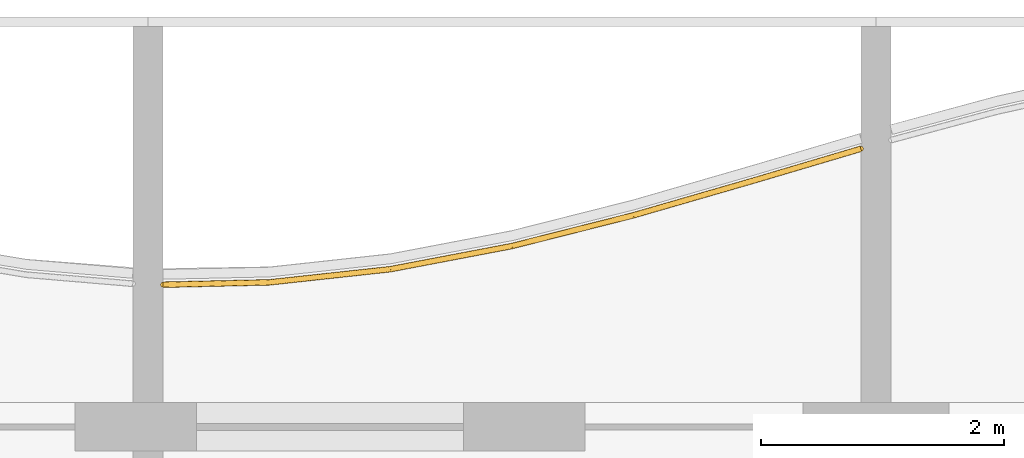
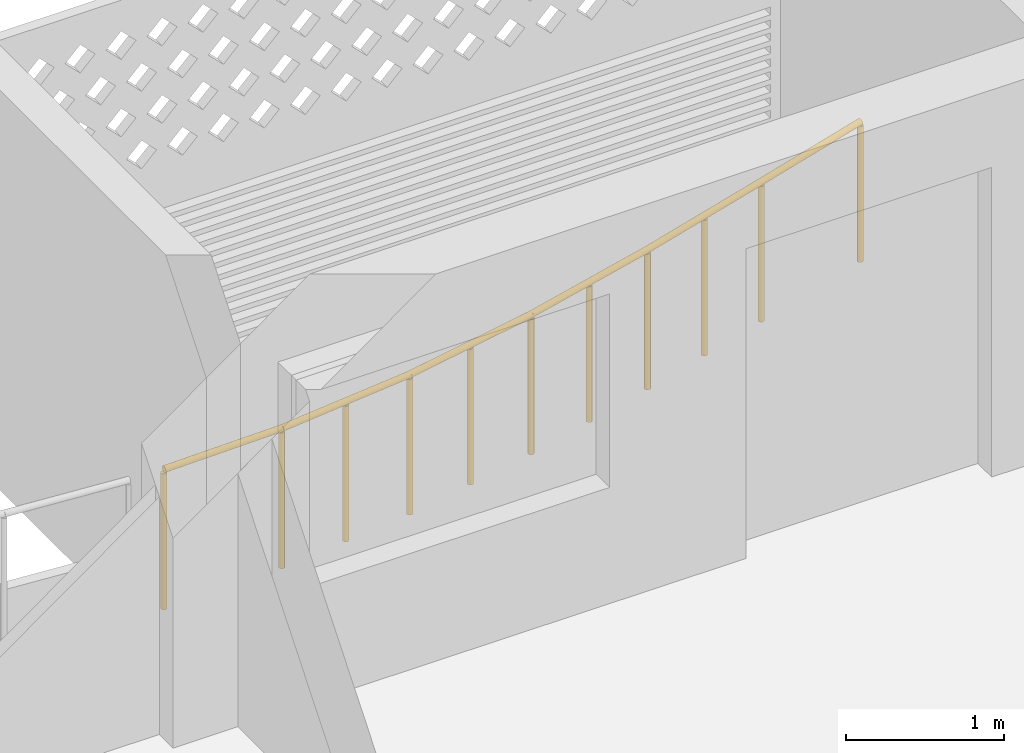
# One storey, part 18 of 27: 1 railing.
"""IFC4 building model written with IfcOpenShell, lengths in metres."""

from ifc_helpers import new_model, si_unit, direction, frame, origin, origin_2d, place, context, subcontext, project, spatial, circle, extrude, material, type_object, element, save


model = new_model("IFC4")

# Units and contexts
model_context = context("Model", 3, precision=1e-05, world=origin(), true_north=direction((0.0, 1.0)))
body_context = subcontext(model_context, "Body", "Model", "MODEL_VIEW")
ifc_project = project(units=[si_unit("LENGTHUNIT", "METRE"), si_unit("AREAUNIT", "SQUARE_METRE"), si_unit("VOLUMEUNIT", "CUBIC_METRE"), si_unit("PLANEANGLEUNIT", "RADIAN"), si_unit("MASSUNIT", "GRAM", prefix="KILO")], contexts=[model_context])

# Site, building, storey
site_placement = place(None, origin())
site = spatial("IfcSite", under=ifc_project, at=site_placement, CompositionType="ELEMENT")
building_placement = place(site_placement, origin())
building = spatial("IfcBuilding", under=site, at=building_placement, Name="Poui Terraces", CompositionType="ELEMENT")
storey_placement = place(building_placement, frame((0.0, 0.0, 208.199951171875)))
storey = spatial("IfcBuildingStorey", under=building, at=storey_placement, Name="L58", CompositionType="ELEMENT", Elevation=208.199951171875)

# Railing
ifc_material = material(Name="Painted steel fretwork", Category="steel")
railing_type = type_object("IfcRailingType", Name="BALCONY GUARD 1100", PredefinedType="GUARDRAIL", material=ifc_material)
railing_placement = place(storey_placement, frame((30.125, 42.3720703125, 0.0)))
element("IfcRailing", 1, at=railing_placement, inside=storey, type_object=railing_type, Name="BALCONY GUARD", PredefinedType="GUARDRAIL", context=body_context, shape_type="SweptSolid", body=[
    extrude(circle(Radius=0.02392578125, at=origin_2d()), frame((0.0, 0.0, 1.076171875), z_axis=(0.999757154554, 0.022037057815, 0.0), x_axis=(-0.022037057815, 0.999757154554, 0.0)), (0.0, 0.0, 1.0), 0.875244140625),
    extrude(circle(Radius=0.02392578125, at=origin_2d()), frame((0.875, 0.019287109375, 1.076171875), z_axis=(0.994124040351, 0.108246904784, 0.0), x_axis=(-0.108246904784, 0.994124040351, 0.0)), (0.0, 0.0, 1.0), 1.005859375),
    extrude(circle(Radius=0.02392578125, at=origin_2d()), frame((1.875, 0.128173828125, 1.076171875), z_axis=(0.982302864177, 0.187299447491, 0.0), x_axis=(-0.187299447491, 0.982302864177, 0.0)), (0.0, 0.0, 1.0), 1.01806640625),
    extrude(circle(Radius=0.02392578125, at=origin_2d()), frame((2.875, 0.31884765625, 1.076171875), z_axis=(0.969470524151, 0.245207876714, 0.0), x_axis=(-0.245207876714, 0.969470524151, 0.0)), (0.0, 0.0, 1.0), 1.031494140625),
    extrude(circle(Radius=0.02392578125, at=origin_2d()), frame((3.875, 0.57177734375, 1.076171875), z_axis=(0.960669700127, 0.277693585193, 0.0), x_axis=(-0.277693585193, 0.960669700127, 0.0)), (0.0, 0.0, 1.0), 1.041015625),
    extrude(circle(Radius=0.02392578125, at=origin_2d()), frame((4.875, 0.86083984375, 1.076171875), z_axis=(0.9587927149, 0.284106546658, 0.0), x_axis=(-0.284106546658, 0.9587927149, 0.0)), (0.0, 0.0, 1.0), 0.91259765625),
    extrude(circle(Radius=0.02099609375, at=origin_2d()), origin(), (0.0, 0.0, 1.0), 1.052001953125),
    extrude(circle(Radius=0.02099609375, at=origin_2d()), frame((0.875, 0.019287109375, 0.0)), (0.0, 0.0, 1.0), 1.052001953125),
    extrude(circle(Radius=0.02099609375, at=origin_2d()), frame((1.375, 0.07373046875, 0.0)), (0.0, 0.0, 1.0), 1.052001953125),
    extrude(circle(Radius=0.02099609375, at=origin_2d()), frame((1.875, 0.128173828125, 0.0)), (0.0, 0.0, 1.0), 1.052001953125),
    extrude(circle(Radius=0.02099609375, at=origin_2d()), frame((2.375, 0.2236328125, 0.0)), (0.0, 0.0, 1.0), 1.052001953125),
    extrude(circle(Radius=0.02099609375, at=origin_2d()), frame((2.875, 0.31884765625, 0.0)), (0.0, 0.0, 1.0), 1.052001953125),
    extrude(circle(Radius=0.02099609375, at=origin_2d()), frame((3.375, 0.4453125, 0.0)), (0.0, 0.0, 1.0), 1.052001953125),
    extrude(circle(Radius=0.02099609375, at=origin_2d()), frame((3.875, 0.57177734375, 0.0)), (0.0, 0.0, 1.0), 1.052001953125),
    extrude(circle(Radius=0.02099609375, at=origin_2d()), frame((4.375, 0.71630859375, 0.0)), (0.0, 0.0, 1.0), 1.052001953125),
    extrude(circle(Radius=0.02099609375, at=origin_2d()), frame((4.875, 0.86083984375, 0.0)), (0.0, 0.0, 1.0), 1.052001953125),
    extrude(circle(Radius=0.02099609375, at=origin_2d()), frame((5.75, 1.1201171875, 0.0)), (0.0, 0.0, 1.0), 1.052001953125),
])

save(model, "model.ifc")
